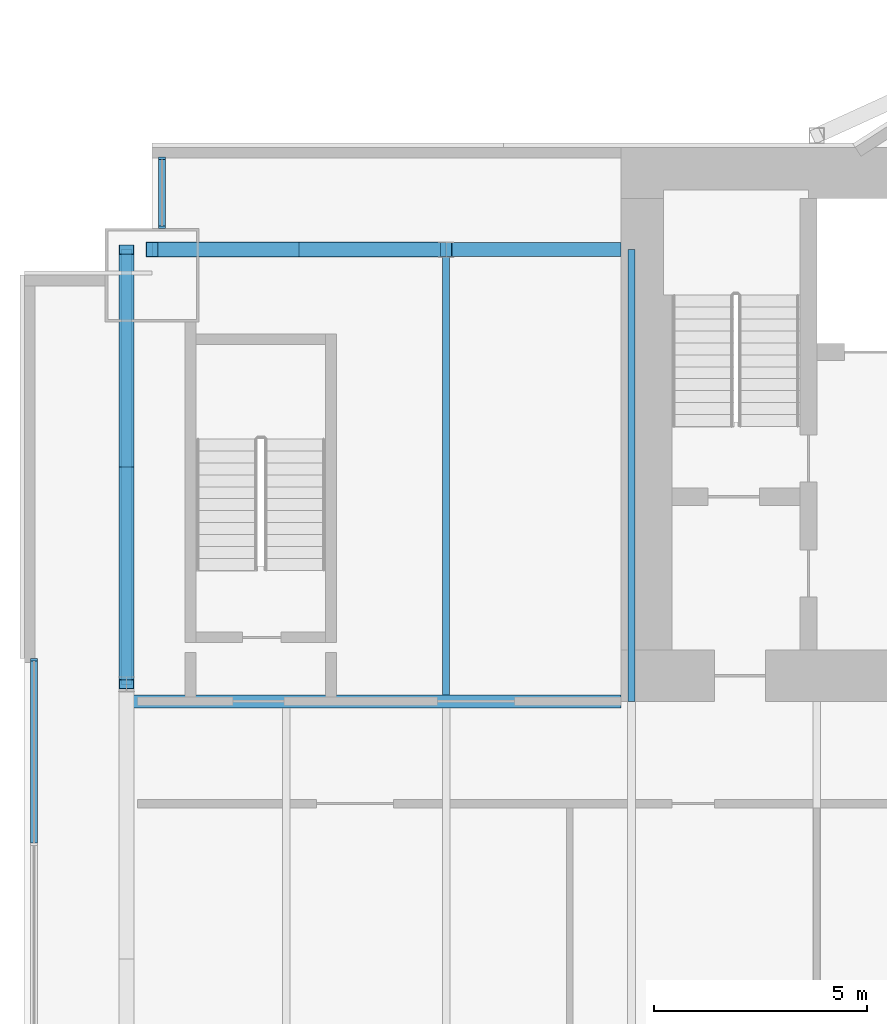
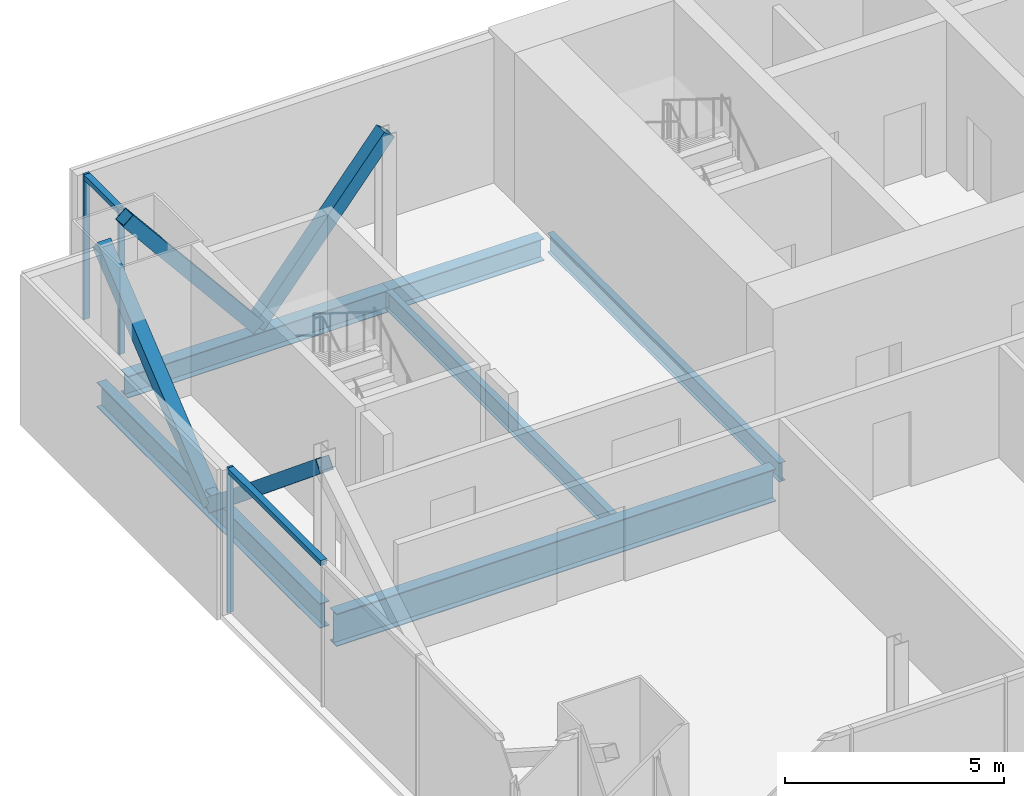
# One storey, part 7 of 19: 9 members, 6 beams, 2 elements without a shape of their own.
"""IFC4 building model written with IfcOpenShell, lengths in metres."""

from ifc_helpers import new_model, si_unit, direction, frame, origin, origin_2d, place, context, subcontext, project, spatial, rectangle, hollow_rectangle, i_section, extrude, material, material_profile, profile_set, type_object, element, aggregate, save


model = new_model("IFC4")

# Units and contexts
model_context = context("Model", 3, precision=1e-05, world=origin(), true_north=direction((0.0, 1.0)))
body_context = subcontext(model_context, "Body", "Model", "MODEL_VIEW")
ifc_project = project(units=[si_unit("LENGTHUNIT", "METRE"), si_unit("AREAUNIT", "SQUARE_METRE"), si_unit("VOLUMEUNIT", "CUBIC_METRE"), si_unit("PLANEANGLEUNIT", "RADIAN"), si_unit("MASSUNIT", "GRAM", prefix="KILO")], contexts=[model_context])

# Site, building, storey
site_placement = place(None, origin())
site = spatial("IfcSite", under=ifc_project, at=site_placement, CompositionType="ELEMENT")
building_placement = place(site_placement, origin())
building = spatial("IfcBuilding", under=site, at=building_placement, Name="Bicima Exchange Tower", CompositionType="ELEMENT")
storey_placement = place(building_placement, frame((0.0, 0.0, 275.0)))
storey = spatial("IfcBuildingStorey", under=building, at=storey_placement, Name="L62", CompositionType="ELEMENT", Elevation=275.0)

# Beam
ifc_material_1 = material(Name="Steel ASTM A992 Gr 50", Category="steel")
ifc_material_profile_1 = material_profile(ifc_material_1, i_section(OverallWidth=0.3046875, OverallDepth=0.911865234375, WebThickness=0.015869140625, FlangeThickness=0.02392578125, at=origin_2d()))
ifc_profile_set_1 = profile_set([ifc_material_profile_1], Name="Steel ASTM A992 Gr 50")
beam_type_1 = type_object("IfcBeamType", Name="Core-line girder W36x150", PredefinedType="BEAM", material=ifc_profile_set_1)
beam_1_placement = place(storey_placement, frame((-22.0, -13.0, -0.60595703125), z_axis=(-1.0, 0.0, 0.0), x_axis=(0.0, -1.0, 0.0)))
element("IfcBeam", 1, at=beam_1_placement, inside=storey, type_object=beam_type_1, Name="Core-line girder", PredefinedType="BEAM", context=body_context, shape_type="SweptSolid", body=[
    extrude(i_section(OverallWidth=0.3046875, OverallDepth=0.911865234375, WebThickness=0.015869140625, FlangeThickness=0.02392578125, at=origin_2d()), origin(), (0.0, 0.0, 1.0), 11.60009765625),
])

# Curtain wall, members
ifc_material_2 = material(Name="Anodised bronze aluminium", Category="aluminium")
curtain_wall_type_1 = type_object("IfcCurtainWallType", Name="End face glass wall", PredefinedType="NOTDEFINED", material=ifc_material_2)
curtain_wall_1_placement = place(storey_placement, origin())
curtain_wall_1 = element("IfcCurtainWall", 2, at=curtain_wall_1_placement, inside=storey, type_object=curtain_wall_type_1, Name="End face glass wall L62 run 2", PredefinedType="NOTDEFINED")
ifc_material_profile_2 = material_profile(ifc_material_2, rectangle(XDim=0.159912109375, YDim=0.06005859375, at=origin_2d()))
ifc_profile_set_2 = profile_set([ifc_material_profile_2], Name="Anodised bronze aluminium")
member_type_1 = type_object("IfcMemberType", Name="End face glass wall mullion 60 x 160", PredefinedType="MULLION", material=ifc_profile_set_2)
member_1_placement = place(storey_placement, frame((-35.77001953125, -12.030029296875, 0.0), z_axis=(0.0, 0.0, 1.0), x_axis=(1.0, 0.0, 0.0)))
member_1 = element("IfcMember", 3, at=member_1_placement, type_object=member_type_1, Name="End face glass wall mullion 1", PredefinedType="MULLION", context=body_context, shape_type="SweptSolid", body=[
    extrude(rectangle(XDim=0.159912109375, YDim=0.06005859375, at=origin_2d()), origin(), (0.0, 0.0, 1.0), 4.050048828125),
])
ifc_material_profile_3 = material_profile(ifc_material_2, rectangle(XDim=0.159912109375, YDim=0.139892578125, at=origin_2d()))
ifc_profile_set_3 = profile_set([ifc_material_profile_3], Name="Anodised bronze aluminium")
member_type_2 = type_object("IfcMemberType", Name="End face glass wall transom 140 x 160", PredefinedType="USERDEFINED", material=ifc_profile_set_3)
member_2_placement = place(storey_placement, frame((-35.77001953125, -12.06005859375, 3.97998046875), z_axis=(0.0, -1.0, 0.0), x_axis=(1.0, 0.0, 0.0)))
member_2 = element("IfcMember", 4, at=member_2_placement, type_object=member_type_2, Name="End face glass wall transom 1.1", ObjectType="TRANSOM", PredefinedType="USERDEFINED", context=body_context, shape_type="SweptSolid", body=[
    extrude(rectangle(XDim=0.159912109375, YDim=0.139892578125, at=origin_2d()), origin(), (0.0, 0.0, 1.0), 4.261962890625),
])
aggregate(curtain_wall_1, [member_1, member_2])

# Beams
ifc_material_profile_4 = material_profile(ifc_material_1, i_section(OverallWidth=0.256591796875, OverallDepth=0.693359375, WebThickness=0.014404296875, FlangeThickness=0.023681640625, at=origin_2d()))
ifc_profile_set_4 = profile_set([ifc_material_profile_4], Name="Steel ASTM A992 Gr 50")
beam_type_2 = type_object("IfcBeamType", Name="End girder W27x114", PredefinedType="BEAM", material=ifc_profile_set_4)
beam_2_placement = place(storey_placement, frame((-33.60009765625, -2.39990234375, -0.49658203125), z_axis=(0.0, -1.0, 0.0), x_axis=(1.0, 0.0, 0.0)))
element("IfcBeam", 5, at=beam_2_placement, inside=storey, type_object=beam_type_2, Name="End girder", PredefinedType="BEAM", context=body_context, shape_type="SweptSolid", body=[
    extrude(i_section(OverallWidth=0.256591796875, OverallDepth=0.693359375, WebThickness=0.014404296875, FlangeThickness=0.023681640625, at=origin_2d()), origin(), (0.0, 0.0, 1.0), 10.2001953125),
])
ifc_material_profile_5 = material_profile(ifc_material_1, i_section(OverallWidth=0.165771484375, OverallDepth=0.5283203125, WebThickness=0.009765625, FlangeThickness=0.013671875, at=origin_2d()))
ifc_profile_set_5 = profile_set([ifc_material_profile_5], Name="Steel ASTM A992 Gr 50")
beam_type_3 = type_object("IfcBeamType", Name="Floor beam W21x50", PredefinedType="JOIST", material=ifc_profile_set_5)
beam_3_placement = place(storey_placement, frame((-26.10009765625, -2.5625, -0.414306640625), z_axis=(0.0, -1.0, 0.0), x_axis=(1.0, 0.0, 0.0)))
element("IfcBeam", 6, at=beam_3_placement, inside=storey, type_object=beam_type_3, Name="Floor beam", PredefinedType="JOIST", context=body_context, shape_type="SweptSolid", body=[
    extrude(i_section(OverallWidth=0.165771484375, OverallDepth=0.5283203125, WebThickness=0.009765625, FlangeThickness=0.013671875, at=origin_2d()), origin(), (0.0, 0.0, 1.0), 10.28515625),
])
beam_4_placement = place(storey_placement, frame((-21.75, -2.39990234375, -0.414306640625), z_axis=(0.0, -1.0, 0.0), x_axis=(1.0, 0.0, 0.0)))
element("IfcBeam", 7, at=beam_4_placement, inside=storey, type_object=beam_type_3, Name="Floor beam", PredefinedType="JOIST", context=body_context, shape_type="SweptSolid", body=[
    extrude(i_section(OverallWidth=0.165771484375, OverallDepth=0.5283203125, WebThickness=0.009765625, FlangeThickness=0.013671875, at=origin_2d()), origin(), (0.0, 0.0, 1.0), 10.60009765625),
])

# Curtain wall, members
curtain_wall_type_2 = type_object("IfcCurtainWallType", Name="Front glass wall", PredefinedType="NOTDEFINED", material=ifc_material_2)
curtain_wall_2_placement = place(storey_placement, origin())
curtain_wall_2 = element("IfcCurtainWall", 8, at=curtain_wall_2_placement, inside=storey, type_object=curtain_wall_type_2, Name="Front glass wall L62 run 1", PredefinedType="NOTDEFINED")
member_type_3 = type_object("IfcMemberType", Name="Front glass wall mullion 60 x 160", PredefinedType="MULLION", material=ifc_profile_set_2)
member_3_placement = place(storey_placement, frame((-32.77001953125, -0.260009765625, 0.0), z_axis=(0.0, 0.0, 1.0), x_axis=(1.0, 0.0, 0.0)))
member_3 = element("IfcMember", 9, at=member_3_placement, type_object=member_type_3, Name="Front glass wall mullion 1", PredefinedType="MULLION", context=body_context, shape_type="SweptSolid", body=[
    extrude(rectangle(XDim=0.159912109375, YDim=0.06005859375, at=origin_2d()), origin(), (0.0, 0.0, 1.0), 4.050048828125),
])
member_4_placement = place(storey_placement, frame((-32.77001953125, -1.8701171875, 0.0), z_axis=(0.0, 0.0, 1.0), x_axis=(1.0, 0.0, 0.0)))
member_4 = element("IfcMember", 10, at=member_4_placement, type_object=member_type_3, Name="Front glass wall mullion 2", PredefinedType="MULLION", context=body_context, shape_type="SweptSolid", body=[
    extrude(rectangle(XDim=0.159912109375, YDim=0.06005859375, at=origin_2d()), origin(), (0.0, 0.0, 1.0), 4.050048828125),
])
member_type_4 = type_object("IfcMemberType", Name="Front glass wall transom 140 x 160", PredefinedType="USERDEFINED", material=ifc_profile_set_3)
member_5_placement = place(storey_placement, frame((-32.77001953125, -0.2900390625, 3.97998046875), z_axis=(0.0, -1.0, 0.0), x_axis=(1.0, 0.0, 0.0)))
member_5 = element("IfcMember", 11, at=member_5_placement, type_object=member_type_4, Name="Front glass wall transom 1.1", ObjectType="TRANSOM", PredefinedType="USERDEFINED", context=body_context, shape_type="SweptSolid", body=[
    extrude(rectangle(XDim=0.159912109375, YDim=0.139892578125, at=origin_2d()), origin(), (0.0, 0.0, 1.0), 1.550048828125),
])
aggregate(curtain_wall_2, [member_3, member_4, member_5])

# Members
ifc_material_3 = material(Name="Steel ASTM A572 Gr 50", Category="steel")
ifc_material_profile_6 = material_profile(ifc_material_3, hollow_rectangle(XDim=0.355712890625, YDim=0.355712890625, WallThickness=0.0146484375, at=origin_2d()))
ifc_profile_set_6 = profile_set([ifc_material_profile_6], Name="Steel ASTM A572 Gr 50")
member_type_5 = type_object("IfcMemberType", Name="Mega brace HSS14x14x5/8", PredefinedType="BRACE", material=ifc_profile_set_6)
for number, where, z_axis, x_axis, name in (
    (12, (-29.550048828125, -2.39990234375, 0.0), (0.63473846547, 0.0, 0.772727041362), (0.0, 1.0, 0.0), "Mega brace rear"),
    (13, (-29.550048828125, -2.39990234375, 0.0), (-0.63473846547, 0.0, 0.772727041362), (0.0, -1.0, 0.0), "Mega brace rear"),
):
    element("IfcMember", number, at=place(storey_placement, frame(where, z_axis=z_axis, x_axis=x_axis)), inside=storey, type_object=member_type_5, Name=name, PredefinedType="BRACE", context=body_context, shape_type="SweptSolid", body=[
        extrude(hollow_rectangle(XDim=0.355712890625, YDim=0.355712890625, WallThickness=0.0146484375, at=origin_2d()), origin(), (0.0, 0.0, 1.0), 5.435302734375),
    ])
for number, where, z_axis, x_axis, name in (
    (14, (-33.60009765625, -7.5, -0.49658203125), (0.0, -0.771939835586, 0.635695595576), (1.0, 0.0, 0.0), "Mega brace west end"),
    (15, (-33.60009765625, -7.5, -0.49658203125), (0.0, 0.771939835586, 0.635695595576), (-1.0, 0.0, 0.0), "Mega brace west end"),
):
    element("IfcMember", number, at=place(storey_placement, frame(where, z_axis=z_axis, x_axis=x_axis)), inside=storey, type_object=member_type_5, Name=name, PredefinedType="BRACE", context=body_context, shape_type="SweptSolid", body=[
        extrude(hollow_rectangle(XDim=0.355712890625, YDim=0.355712890625, WallThickness=0.0146484375, at=origin_2d()), origin(), (0.0, 0.0, 1.0), 6.60693359375),
    ])

# Beams
ifc_material_profile_7 = material_profile(ifc_material_1, i_section(OverallWidth=0.3251953125, OverallDepth=0.612060546875, WebThickness=0.0126953125, FlangeThickness=0.01904296875, at=origin_2d()))
ifc_profile_set_7 = profile_set([ifc_material_profile_7], Name="Steel ASTM A992 Gr 50")
beam_type_4 = type_object("IfcBeamType", Name="Rear girder W24x104", PredefinedType="BEAM", material=ifc_profile_set_7)
beam_5_placement = place(storey_placement, frame((-22.0, -2.39990234375, -0.4560546875), z_axis=(-1.0, 0.0, 0.0), x_axis=(0.0, -1.0, 0.0)))
element("IfcBeam", 16, at=beam_5_placement, inside=storey, type_object=beam_type_4, Name="Rear girder", PredefinedType="BEAM", context=body_context, shape_type="SweptSolid", body=[
    extrude(i_section(OverallWidth=0.3251953125, OverallDepth=0.612060546875, WebThickness=0.0126953125, FlangeThickness=0.01904296875, at=origin_2d()), origin(), (0.0, 0.0, 1.0), 4.10009765625),
])
beam_6_placement = place(storey_placement, frame((-26.10009765625, -2.39990234375, -0.4560546875), z_axis=(-1.0, 0.0, 0.0), x_axis=(0.0, -1.0, 0.0)))
element("IfcBeam", 17, at=beam_6_placement, inside=storey, type_object=beam_type_4, Name="Rear girder", PredefinedType="BEAM", context=body_context, shape_type="SweptSolid", body=[
    extrude(i_section(OverallWidth=0.3251953125, OverallDepth=0.612060546875, WebThickness=0.0126953125, FlangeThickness=0.01904296875, at=origin_2d()), origin(), (0.0, 0.0, 1.0), 6.89990234375),
])

save(model, "model.ifc")
